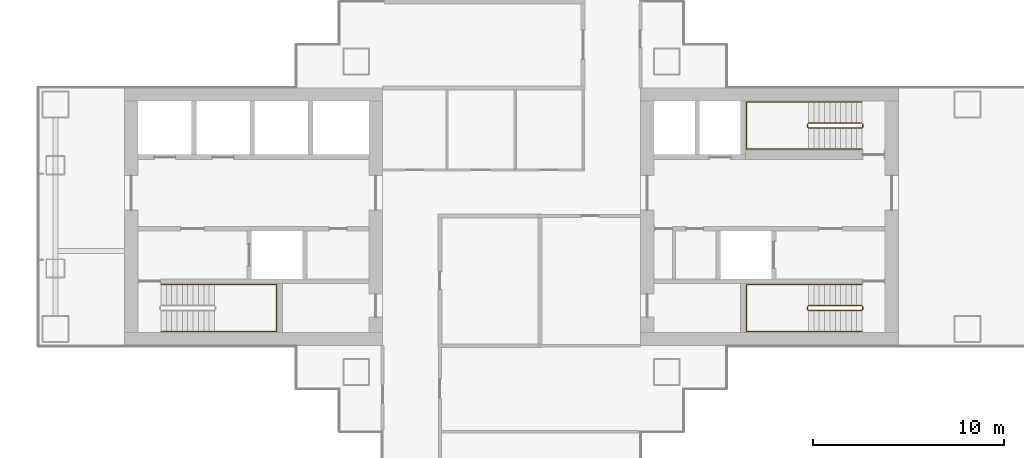
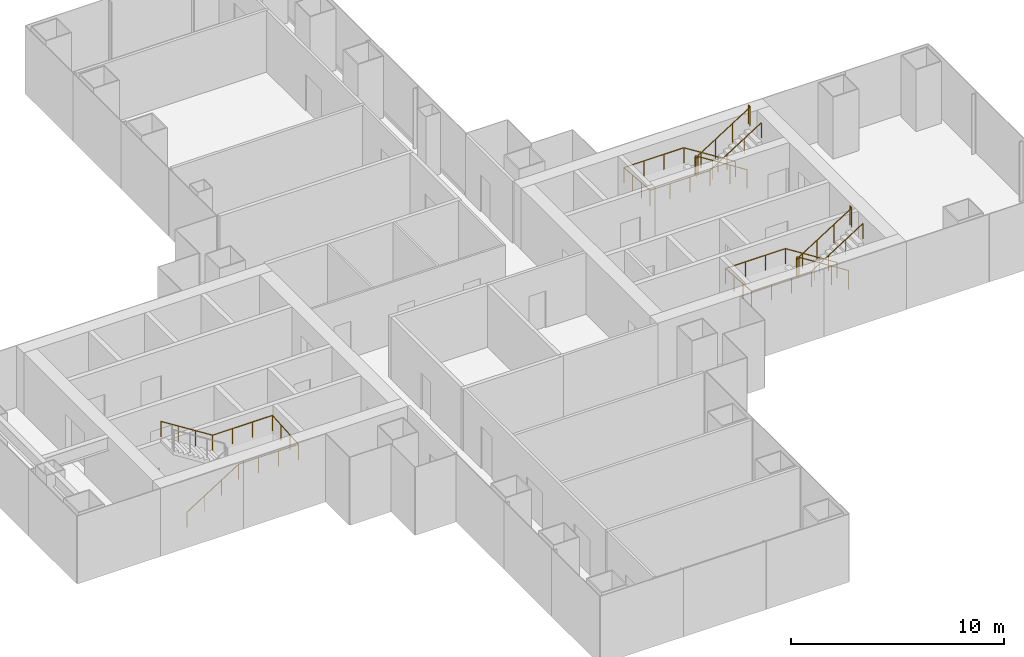
# One storey, part 20 of 21: 5 railings.
"""IFC4 building model written with IfcOpenShell, lengths in metres."""

from ifc_helpers import new_model, si_unit, direction, frame, origin, origin_2d, place, context, subcontext, project, spatial, circle, extrude, material, type_object, element, save


model = new_model("IFC4")

# Units and contexts
model_context = context("Model", 3, precision=1e-05, world=origin(), true_north=direction((0.0, 1.0)))
body_context = subcontext(model_context, "Body", "Model", "MODEL_VIEW")
ifc_project = project(units=[si_unit("LENGTHUNIT", "METRE"), si_unit("AREAUNIT", "SQUARE_METRE"), si_unit("VOLUMEUNIT", "CUBIC_METRE"), si_unit("PLANEANGLEUNIT", "RADIAN"), si_unit("MASSUNIT", "GRAM", prefix="KILO")], contexts=[model_context])

# Site, building, storey
site_placement = place(None, origin())
site = spatial("IfcSite", under=ifc_project, at=site_placement, CompositionType="ELEMENT")
building_placement = place(site_placement, origin())
building = spatial("IfcBuilding", under=site, at=building_placement, Name="Shamsa Quay Exchange Towers", CompositionType="ELEMENT")
storey_placement = place(building_placement, frame((0.0, 0.0, 45.89990234375)))
storey = spatial("IfcBuildingStorey", under=building, at=storey_placement, Name="L09", CompositionType="ELEMENT", Elevation=45.89990234375)

# Railings
ifc_material = material(Name="Stainless steel", Category="steel")
railing_type_1 = type_object("IfcRailingType", Name="STAIR GUARD 1100", PredefinedType="GUARDRAIL", material=ifc_material)
railing_1_placement = place(storey_placement, frame((52.10009765625, -4.64990234375, 0.177490234375)))
element("IfcRailing", 1, at=railing_1_placement, inside=storey, type_object=railing_type_1, Name="L09 ST5 stair guard 1", PredefinedType="GUARDRAIL", context=body_context, shape_type="SweptSolid", body=[
    extrude(circle(Radius=0.02392578125, at=origin_2d()), frame((0.0, 0.0, 1.076171875), z_axis=(-0.844908973607, 0.0, 0.534910110503), x_axis=(0.0, -1.0, 0.0)), (0.0, 0.0, 1.0), 3.31396484375),
    extrude(circle(Radius=0.02392578125, at=origin_2d()), frame((-2.800048828125, 0.0, 2.8486328125), z_axis=(-0.707106781187, -0.707106781187, 0.0), x_axis=(0.707106781187, -0.707106781187, 0.0)), (0.0, 0.0, 1.0), 0.07080078125),
    extrude(circle(Radius=0.02392578125, at=origin_2d()), frame((-2.85009765625, -0.050048828125, 2.8486328125), z_axis=(0.0, -1.0, 0.0), x_axis=(1.0, 0.0, 0.0)), (0.0, 0.0, 1.0), 0.150146484375),
    extrude(circle(Radius=0.02392578125, at=origin_2d()), frame((-2.85009765625, -0.2001953125, 2.8486328125), z_axis=(0.262321481514, -0.261041864531, 0.929001929653), x_axis=(0.705375805398, 0.708833529934, 0.0)), (0.0, 0.0, 1.0), 0.190673828125),
    extrude(circle(Radius=0.02392578125, at=origin_2d()), frame((-2.800048828125, -0.25, 3.02587890625), z_axis=(0.844908973607, 0.0, 0.534910110503), x_axis=(0.0, 1.0, 0.0)), (0.0, 0.0, 1.0), 3.31396484375),
    extrude(circle(Radius=0.02392578125, at=origin_2d()), frame((0.0, -0.25, 4.798828125), z_axis=(0.241699205484, 0.970351222016, 0.0), x_axis=(-0.970351222016, 0.241699205484, 0.0)), (0.0, 0.0, 1.0), 0.2060546875),
    extrude(circle(Radius=0.02392578125, at=origin_2d()), frame((0.0498046875, -0.050048828125, 4.798828125), z_axis=(0.0, -1.0, 0.0), x_axis=(1.0, 0.0, 0.0)), (0.0, 0.0, 1.0), 0.150146484375),
    extrude(circle(Radius=0.02099609375, at=origin_2d()), origin(), (0.0, 0.0, 1.0), 1.052001953125),
    extrude(circle(Radius=0.02099609375, at=origin_2d()), frame((-0.933349609375, 0.0, 0.5908203125)), (0.0, 0.0, 1.0), 1.052001953125),
    extrude(circle(Radius=0.02099609375, at=origin_2d()), frame((-1.86669921875, 0.0, 1.181884765625)), (0.0, 0.0, 1.0), 1.052001953125),
    extrude(circle(Radius=0.02099609375, at=origin_2d()), frame((-2.800048828125, 0.0, 1.772705078125)), (0.0, 0.0, 1.0), 1.052001953125),
    extrude(circle(Radius=0.02099609375, at=origin_2d()), frame((-2.85009765625, -0.050048828125, 1.772705078125)), (0.0, 0.0, 1.0), 1.052001953125),
    extrude(circle(Radius=0.02099609375, at=origin_2d()), frame((-2.85009765625, -0.2001953125, 1.772705078125)), (0.0, 0.0, 1.0), 1.052001953125),
    extrude(circle(Radius=0.02099609375, at=origin_2d()), frame((-2.800048828125, -0.25, 1.949951171875)), (0.0, 0.0, 1.0), 1.052001953125),
    extrude(circle(Radius=0.02099609375, at=origin_2d()), frame((-1.86669921875, -0.25, 2.540771484375)), (0.0, 0.0, 1.0), 1.052001953125),
    extrude(circle(Radius=0.02099609375, at=origin_2d()), frame((-0.933349609375, -0.25, 3.1318359375)), (0.0, 0.0, 1.0), 1.052001953125),
    extrude(circle(Radius=0.02099609375, at=origin_2d()), frame((0.0, -0.25, 3.72265625)), (0.0, 0.0, 1.0), 1.052001953125),
    extrude(circle(Radius=0.02099609375, at=origin_2d()), frame((0.0498046875, -0.050048828125, 3.72265625)), (0.0, 0.0, 1.0), 1.052001953125),
    extrude(circle(Radius=0.02099609375, at=origin_2d()), frame((0.0498046875, -0.2001953125, 3.72265625)), (0.0, 0.0, 1.0), 1.052001953125),
])
railing_2_placement = place(storey_placement, frame((52.10009765625, 4.89990234375, 0.177490234375)))
element("IfcRailing", 2, at=railing_2_placement, inside=storey, type_object=railing_type_1, Name="L09 ST6 stair guard 1", PredefinedType="GUARDRAIL", context=body_context, shape_type="SweptSolid", body=[
    extrude(circle(Radius=0.02392578125, at=origin_2d()), frame((0.0, 0.0, 1.076171875), z_axis=(-0.844908973607, 0.0, 0.534910110503), x_axis=(0.0, -1.0, 0.0)), (0.0, 0.0, 1.0), 3.31396484375),
    extrude(circle(Radius=0.02392578125, at=origin_2d()), frame((-2.800048828125, 0.0, 2.8486328125), z_axis=(-0.708833529934, -0.705375805398, 0.0), x_axis=(0.705375805398, -0.708833529934, 0.0)), (0.0, 0.0, 1.0), 0.070556640625),
    extrude(circle(Radius=0.02392578125, at=origin_2d()), frame((-2.85009765625, -0.0498046875, 2.8486328125), z_axis=(0.0, -1.0, 0.0), x_axis=(1.0, 0.0, 0.0)), (0.0, 0.0, 1.0), 0.150146484375),
    extrude(circle(Radius=0.02392578125, at=origin_2d()), frame((-2.85009765625, -0.199951171875, 2.8486328125), z_axis=(0.262233686654, -0.262233686654, 0.928691007369), x_axis=(0.707106781187, 0.707106781187, 0.0)), (0.0, 0.0, 1.0), 0.19091796875),
    extrude(circle(Radius=0.02392578125, at=origin_2d()), frame((-2.800048828125, -0.25, 3.02587890625), z_axis=(0.844908973607, 0.0, 0.534910110503), x_axis=(0.0, 1.0, 0.0)), (0.0, 0.0, 1.0), 3.31396484375),
    extrude(circle(Radius=0.02392578125, at=origin_2d()), frame((0.0, -0.25, 4.798828125), z_axis=(0.24142163986, 0.970420317083, 0.0), x_axis=(-0.970420317083, 0.24142163986, 0.0)), (0.0, 0.0, 1.0), 0.206298828125),
    extrude(circle(Radius=0.02392578125, at=origin_2d()), frame((0.0498046875, -0.0498046875, 4.798828125), z_axis=(0.0, -1.0, 0.0), x_axis=(1.0, 0.0, 0.0)), (0.0, 0.0, 1.0), 0.150146484375),
    extrude(circle(Radius=0.02099609375, at=origin_2d()), origin(), (0.0, 0.0, 1.0), 1.052001953125),
    extrude(circle(Radius=0.02099609375, at=origin_2d()), frame((-0.933349609375, 0.0, 0.5908203125)), (0.0, 0.0, 1.0), 1.052001953125),
    extrude(circle(Radius=0.02099609375, at=origin_2d()), frame((-1.86669921875, 0.0, 1.181884765625)), (0.0, 0.0, 1.0), 1.052001953125),
    extrude(circle(Radius=0.02099609375, at=origin_2d()), frame((-2.800048828125, 0.0, 1.772705078125)), (0.0, 0.0, 1.0), 1.052001953125),
    extrude(circle(Radius=0.02099609375, at=origin_2d()), frame((-2.85009765625, -0.0498046875, 1.772705078125)), (0.0, 0.0, 1.0), 1.052001953125),
    extrude(circle(Radius=0.02099609375, at=origin_2d()), frame((-2.85009765625, -0.199951171875, 1.772705078125)), (0.0, 0.0, 1.0), 1.052001953125),
    extrude(circle(Radius=0.02099609375, at=origin_2d()), frame((-2.800048828125, -0.25, 1.949951171875)), (0.0, 0.0, 1.0), 1.052001953125),
    extrude(circle(Radius=0.02099609375, at=origin_2d()), frame((-1.86669921875, -0.25, 2.540771484375)), (0.0, 0.0, 1.0), 1.052001953125),
    extrude(circle(Radius=0.02099609375, at=origin_2d()), frame((-0.933349609375, -0.25, 3.1318359375)), (0.0, 0.0, 1.0), 1.052001953125),
    extrude(circle(Radius=0.02099609375, at=origin_2d()), frame((0.0, -0.25, 3.72265625)), (0.0, 0.0, 1.0), 1.052001953125),
    extrude(circle(Radius=0.02099609375, at=origin_2d()), frame((0.0498046875, -0.0498046875, 3.72265625)), (0.0, 0.0, 1.0), 1.052001953125),
    extrude(circle(Radius=0.02099609375, at=origin_2d()), frame((0.0498046875, -0.199951171875, 3.72265625)), (0.0, 0.0, 1.0), 1.052001953125),
])
railing_type_2 = type_object("IfcRailingType", Name="STAIR HANDRAIL 900", PredefinedType="HANDRAIL", material=ifc_material)
railing_3_placement = place(storey_placement, frame((15.39990234375, -6.0, 0.177490234375)))
element("IfcRailing", 3, at=railing_3_placement, inside=storey, type_object=railing_type_2, Name="L09 ST4 stair handrail 1", PredefinedType="HANDRAIL", context=body_context, shape_type="SweptSolid", body=[
    extrude(circle(Radius=0.02392578125, at=origin_2d()), frame((0.0, 0.0, 0.8759765625), z_axis=(0.844908973607, 0.0, 0.534910110503), x_axis=(0.0, 1.0, 0.0)), (0.0, 0.0, 1.0), 3.31396484375),
    extrude(circle(Radius=0.02392578125, at=origin_2d()), frame((2.800048828125, 0.0, 2.6484375), z_axis=(1.0, 0.0, 0.0), x_axis=(0.0, 1.0, 0.0)), (0.0, 0.0, 1.0), 3.25),
    extrude(circle(Radius=0.02392578125, at=origin_2d()), frame((6.050048828125, 0.0, 2.6484375), z_axis=(0.0, 0.997393199914, 0.07215819264), x_axis=(-1.0, 0.0, 0.0)), (0.0, 0.0, 1.0), 2.456298828125),
    extrude(circle(Radius=0.02392578125, at=origin_2d()), frame((6.050048828125, 2.449951171875, 2.82568359375), z_axis=(-1.0, 0.0, 0.0), x_axis=(0.0, -1.0, 0.0)), (0.0, 0.0, 1.0), 3.25),
    extrude(circle(Radius=0.02392578125, at=origin_2d()), frame((2.800048828125, 2.449951171875, 2.82568359375), z_axis=(-0.844908973607, 0.0, 0.534910110503), x_axis=(0.0, -1.0, 0.0)), (0.0, 0.0, 1.0), 3.31396484375),
    extrude(circle(Radius=0.02099609375, at=origin_2d()), origin(), (0.0, 0.0, 1.0), 0.851806640625),
    extrude(circle(Radius=0.02099609375, at=origin_2d()), frame((0.933349609375, 0.0, 0.5908203125)), (0.0, 0.0, 1.0), 0.851806640625),
    extrude(circle(Radius=0.02099609375, at=origin_2d()), frame((1.86669921875, 0.0, 1.181884765625)), (0.0, 0.0, 1.0), 0.851806640625),
    extrude(circle(Radius=0.02099609375, at=origin_2d()), frame((2.800048828125, 0.0, 1.772705078125)), (0.0, 0.0, 1.0), 0.851806640625),
    extrude(circle(Radius=0.02099609375, at=origin_2d()), frame((3.88330078125, 0.0, 1.772705078125)), (0.0, 0.0, 1.0), 0.851806640625),
    extrude(circle(Radius=0.02099609375, at=origin_2d()), frame((4.966796875, 0.0, 1.772705078125)), (0.0, 0.0, 1.0), 0.851806640625),
    extrude(circle(Radius=0.02099609375, at=origin_2d()), frame((6.050048828125, 0.0, 1.772705078125)), (0.0, 0.0, 1.0), 0.851806640625),
    extrude(circle(Radius=0.02099609375, at=origin_2d()), frame((6.050048828125, 0.816650390625, 1.831787109375)), (0.0, 0.0, 1.0), 0.851806640625),
    extrude(circle(Radius=0.02099609375, at=origin_2d()), frame((6.050048828125, 1.63330078125, 1.890869140625)), (0.0, 0.0, 1.0), 0.851806640625),
    extrude(circle(Radius=0.02099609375, at=origin_2d()), frame((6.050048828125, 2.449951171875, 1.949951171875)), (0.0, 0.0, 1.0), 0.851806640625),
    extrude(circle(Radius=0.02099609375, at=origin_2d()), frame((4.966796875, 2.449951171875, 1.949951171875)), (0.0, 0.0, 1.0), 0.851806640625),
    extrude(circle(Radius=0.02099609375, at=origin_2d()), frame((3.88330078125, 2.449951171875, 1.949951171875)), (0.0, 0.0, 1.0), 0.851806640625),
    extrude(circle(Radius=0.02099609375, at=origin_2d()), frame((2.800048828125, 2.449951171875, 1.949951171875)), (0.0, 0.0, 1.0), 0.851806640625),
    extrude(circle(Radius=0.02099609375, at=origin_2d()), frame((1.86669921875, 2.449951171875, 2.540771484375)), (0.0, 0.0, 1.0), 0.851806640625),
    extrude(circle(Radius=0.02099609375, at=origin_2d()), frame((0.933349609375, 2.449951171875, 3.1318359375)), (0.0, 0.0, 1.0), 0.851806640625),
    extrude(circle(Radius=0.02099609375, at=origin_2d()), frame((0.0, 2.449951171875, 3.72265625)), (0.0, 0.0, 1.0), 0.851806640625),
])
railing_4_placement = place(storey_placement, frame((52.10009765625, -3.550048828125, 0.177490234375)))
element("IfcRailing", 4, at=railing_4_placement, inside=storey, type_object=railing_type_2, Name="L09 ST5 stair handrail 1", PredefinedType="HANDRAIL", context=body_context, shape_type="SweptSolid", body=[
    extrude(circle(Radius=0.02392578125, at=origin_2d()), frame((0.0, 0.0, 0.8759765625), z_axis=(-0.844908973607, 0.0, 0.534910110503), x_axis=(0.0, -1.0, 0.0)), (0.0, 0.0, 1.0), 3.31396484375),
    extrude(circle(Radius=0.02392578125, at=origin_2d()), frame((-2.800048828125, 0.0, 2.6484375), z_axis=(-1.0, 0.0, 0.0), x_axis=(0.0, -1.0, 0.0)), (0.0, 0.0, 1.0), 3.25),
    extrude(circle(Radius=0.02392578125, at=origin_2d()), frame((-6.050048828125, 0.0, 2.6484375), z_axis=(0.0, -0.997393199914, 0.07215819264), x_axis=(1.0, 0.0, 0.0)), (0.0, 0.0, 1.0), 2.456298828125),
    extrude(circle(Radius=0.02392578125, at=origin_2d()), frame((-6.050048828125, -2.449951171875, 2.82568359375), z_axis=(1.0, 0.0, 0.0), x_axis=(0.0, 1.0, 0.0)), (0.0, 0.0, 1.0), 3.25),
    extrude(circle(Radius=0.02392578125, at=origin_2d()), frame((-2.800048828125, -2.449951171875, 2.82568359375), z_axis=(0.844908973607, 0.0, 0.534910110503), x_axis=(0.0, 1.0, 0.0)), (0.0, 0.0, 1.0), 3.31396484375),
    extrude(circle(Radius=0.02099609375, at=origin_2d()), origin(), (0.0, 0.0, 1.0), 0.851806640625),
    extrude(circle(Radius=0.02099609375, at=origin_2d()), frame((-0.933349609375, 0.0, 0.5908203125)), (0.0, 0.0, 1.0), 0.851806640625),
    extrude(circle(Radius=0.02099609375, at=origin_2d()), frame((-1.86669921875, 0.0, 1.181884765625)), (0.0, 0.0, 1.0), 0.851806640625),
    extrude(circle(Radius=0.02099609375, at=origin_2d()), frame((-2.800048828125, 0.0, 1.772705078125)), (0.0, 0.0, 1.0), 0.851806640625),
    extrude(circle(Radius=0.02099609375, at=origin_2d()), frame((-3.88330078125, 0.0, 1.772705078125)), (0.0, 0.0, 1.0), 0.851806640625),
    extrude(circle(Radius=0.02099609375, at=origin_2d()), frame((-4.966796875, 0.0, 1.772705078125)), (0.0, 0.0, 1.0), 0.851806640625),
    extrude(circle(Radius=0.02099609375, at=origin_2d()), frame((-6.050048828125, 0.0, 1.772705078125)), (0.0, 0.0, 1.0), 0.851806640625),
    extrude(circle(Radius=0.02099609375, at=origin_2d()), frame((-6.050048828125, -0.816650390625, 1.831787109375)), (0.0, 0.0, 1.0), 0.851806640625),
    extrude(circle(Radius=0.02099609375, at=origin_2d()), frame((-6.050048828125, -1.63330078125, 1.890869140625)), (0.0, 0.0, 1.0), 0.851806640625),
    extrude(circle(Radius=0.02099609375, at=origin_2d()), frame((-6.050048828125, -2.449951171875, 1.949951171875)), (0.0, 0.0, 1.0), 0.851806640625),
    extrude(circle(Radius=0.02099609375, at=origin_2d()), frame((-4.966796875, -2.449951171875, 1.949951171875)), (0.0, 0.0, 1.0), 0.851806640625),
    extrude(circle(Radius=0.02099609375, at=origin_2d()), frame((-3.88330078125, -2.449951171875, 1.949951171875)), (0.0, 0.0, 1.0), 0.851806640625),
    extrude(circle(Radius=0.02099609375, at=origin_2d()), frame((-2.800048828125, -2.449951171875, 1.949951171875)), (0.0, 0.0, 1.0), 0.851806640625),
    extrude(circle(Radius=0.02099609375, at=origin_2d()), frame((-1.86669921875, -2.449951171875, 2.540771484375)), (0.0, 0.0, 1.0), 0.851806640625),
    extrude(circle(Radius=0.02099609375, at=origin_2d()), frame((-0.933349609375, -2.449951171875, 3.1318359375)), (0.0, 0.0, 1.0), 0.851806640625),
    extrude(circle(Radius=0.02099609375, at=origin_2d()), frame((0.0, -2.449951171875, 3.72265625)), (0.0, 0.0, 1.0), 0.851806640625),
])
railing_5_placement = place(storey_placement, frame((52.10009765625, 6.0, 0.177490234375)))
element("IfcRailing", 5, at=railing_5_placement, inside=storey, type_object=railing_type_2, Name="L09 ST6 stair handrail 1", PredefinedType="HANDRAIL", context=body_context, shape_type="SweptSolid", body=[
    extrude(circle(Radius=0.02392578125, at=origin_2d()), frame((0.0, 0.0, 0.8759765625), z_axis=(-0.844908973607, 0.0, 0.534910110503), x_axis=(0.0, -1.0, 0.0)), (0.0, 0.0, 1.0), 3.31396484375),
    extrude(circle(Radius=0.02392578125, at=origin_2d()), frame((-2.800048828125, 0.0, 2.6484375), z_axis=(-1.0, 0.0, 0.0), x_axis=(0.0, -1.0, 0.0)), (0.0, 0.0, 1.0), 3.25),
    extrude(circle(Radius=0.02392578125, at=origin_2d()), frame((-6.050048828125, 0.0, 2.6484375), z_axis=(0.0, -0.997393199914, 0.07215819264), x_axis=(1.0, 0.0, 0.0)), (0.0, 0.0, 1.0), 2.456298828125),
    extrude(circle(Radius=0.02392578125, at=origin_2d()), frame((-6.050048828125, -2.449951171875, 2.82568359375), z_axis=(1.0, 0.0, 0.0), x_axis=(0.0, 1.0, 0.0)), (0.0, 0.0, 1.0), 3.25),
    extrude(circle(Radius=0.02392578125, at=origin_2d()), frame((-2.800048828125, -2.449951171875, 2.82568359375), z_axis=(0.844908973607, 0.0, 0.534910110503), x_axis=(0.0, 1.0, 0.0)), (0.0, 0.0, 1.0), 3.31396484375),
    extrude(circle(Radius=0.02099609375, at=origin_2d()), origin(), (0.0, 0.0, 1.0), 0.851806640625),
    extrude(circle(Radius=0.02099609375, at=origin_2d()), frame((-0.933349609375, 0.0, 0.5908203125)), (0.0, 0.0, 1.0), 0.851806640625),
    extrude(circle(Radius=0.02099609375, at=origin_2d()), frame((-1.86669921875, 0.0, 1.181884765625)), (0.0, 0.0, 1.0), 0.851806640625),
    extrude(circle(Radius=0.02099609375, at=origin_2d()), frame((-2.800048828125, 0.0, 1.772705078125)), (0.0, 0.0, 1.0), 0.851806640625),
    extrude(circle(Radius=0.02099609375, at=origin_2d()), frame((-3.88330078125, 0.0, 1.772705078125)), (0.0, 0.0, 1.0), 0.851806640625),
    extrude(circle(Radius=0.02099609375, at=origin_2d()), frame((-4.966796875, 0.0, 1.772705078125)), (0.0, 0.0, 1.0), 0.851806640625),
    extrude(circle(Radius=0.02099609375, at=origin_2d()), frame((-6.050048828125, 0.0, 1.772705078125)), (0.0, 0.0, 1.0), 0.851806640625),
    extrude(circle(Radius=0.02099609375, at=origin_2d()), frame((-6.050048828125, -0.816650390625, 1.831787109375)), (0.0, 0.0, 1.0), 0.851806640625),
    extrude(circle(Radius=0.02099609375, at=origin_2d()), frame((-6.050048828125, -1.63330078125, 1.890869140625)), (0.0, 0.0, 1.0), 0.851806640625),
    extrude(circle(Radius=0.02099609375, at=origin_2d()), frame((-6.050048828125, -2.449951171875, 1.949951171875)), (0.0, 0.0, 1.0), 0.851806640625),
    extrude(circle(Radius=0.02099609375, at=origin_2d()), frame((-4.966796875, -2.449951171875, 1.949951171875)), (0.0, 0.0, 1.0), 0.851806640625),
    extrude(circle(Radius=0.02099609375, at=origin_2d()), frame((-3.88330078125, -2.449951171875, 1.949951171875)), (0.0, 0.0, 1.0), 0.851806640625),
    extrude(circle(Radius=0.02099609375, at=origin_2d()), frame((-2.800048828125, -2.449951171875, 1.949951171875)), (0.0, 0.0, 1.0), 0.851806640625),
    extrude(circle(Radius=0.02099609375, at=origin_2d()), frame((-1.86669921875, -2.449951171875, 2.540771484375)), (0.0, 0.0, 1.0), 0.851806640625),
    extrude(circle(Radius=0.02099609375, at=origin_2d()), frame((-0.933349609375, -2.449951171875, 3.1318359375)), (0.0, 0.0, 1.0), 0.851806640625),
    extrude(circle(Radius=0.02099609375, at=origin_2d()), frame((0.0, -2.449951171875, 3.72265625)), (0.0, 0.0, 1.0), 0.851806640625),
])

save(model, "model.ifc")
